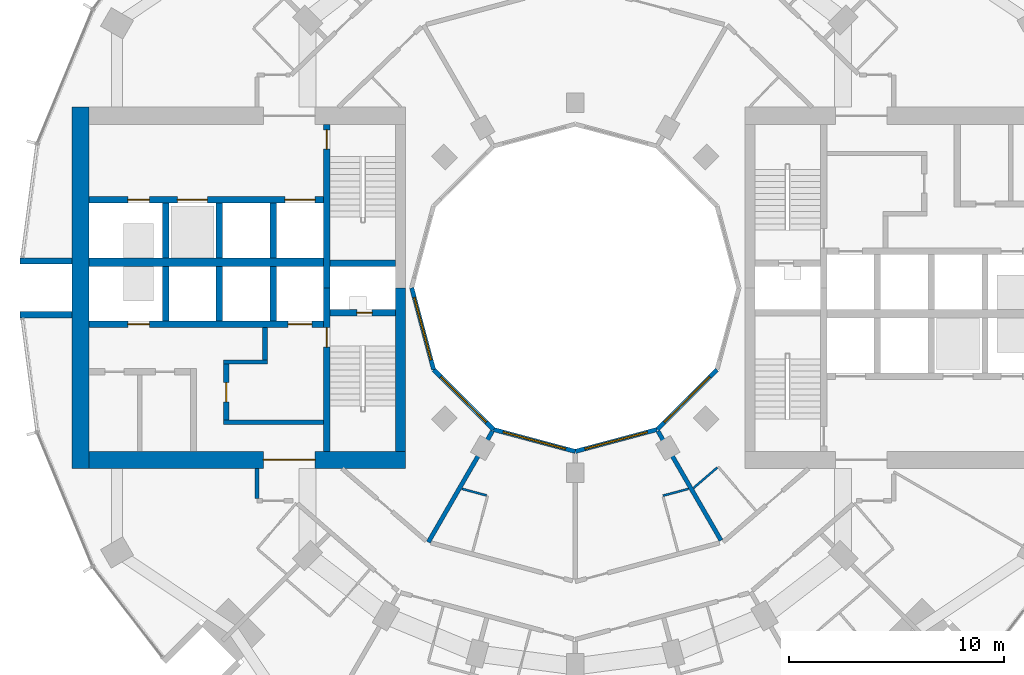
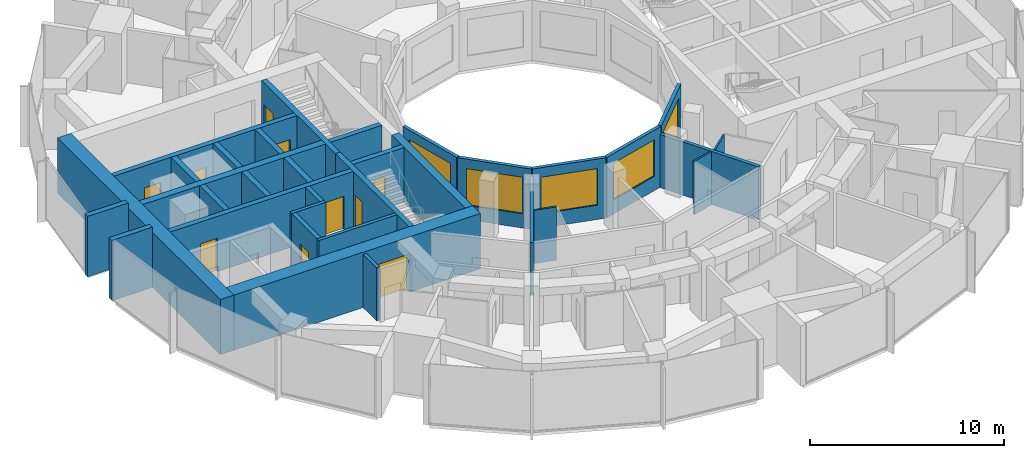
# One storey, part 9 of 15: 33 walls, 10 doors, 5 windows, 15 openings.
"""IFC4 building model written with IfcOpenShell, lengths in metres."""

import ifcopenshell
import ifcopenshell.guid

model = None  # the IFC model being written
_history = None  # IfcOwnerHistory: only IFC2X3 demands one
_inside = {}  # id of a spatial element -> (the spatial element, [elements in it])
_under = {}  # id of a project, library or spatial element -> (it, [spatial elements below it])
_declared = {}  # id of a project -> (the project, [libraries it declares])
_typed = {}  # id of a type object -> (the type object, [elements of that type])
_made_of = {}  # id of a material, layer set ... -> (it, [elements and type objects made of it])


def new_model(schema):
    """Start an empty IFC model of exactly this schema.

    Asked for "IFC4X3", IfcOpenShell would pick the latest addendum, in which some entities
    have other attributes; the version numbers below select the first issue.
    IFC2X3 requires an IfcOwnerHistory on every rooted entity: one is made here for all.
    """
    global model, _history
    if schema == "IFC4X3":
        model = ifcopenshell.file(schema_version=(4, 3, 0, 0))
    else:
        model = ifcopenshell.file(schema=schema)
    _inside.clear()
    _under.clear()
    _declared.clear()
    _typed.clear()
    _made_of.clear()
    _history = None
    if model.schema == "IFC2X3":
        org = make("IfcOrganization", Name="unknown")
        user = make(
            "IfcPersonAndOrganization",
            ThePerson=make("IfcPerson", FamilyName="unknown"),
            TheOrganization=org,
        )
        app = make(
            "IfcApplication",
            ApplicationDeveloper=org,
            Version="unknown",
            ApplicationFullName="unknown",
            ApplicationIdentifier="unknown",
        )
        _history = make(
            "IfcOwnerHistory",
            OwningUser=user,
            OwningApplication=app,
            ChangeAction="ADDED",
            CreationDate=0,
        )
    return model


def make(cls, **values):
    """One entity of the class cls with the attributes given. An attribute that is None is left unset."""
    return model.create_entity(
        cls, **{name: value for name, value in values.items() if value is not None}
    )


def rooted(cls, **values):
    """An entity with a GlobalId (a new one), such as an element, a storey or a relation."""
    return make(cls, GlobalId=ifcopenshell.guid.new(), OwnerHistory=_history, **values)


def si_unit(unit_type, name, prefix=None):
    """IfcSIUnit, for example si_unit("LENGTHUNIT", "METRE", prefix="MILLI")."""
    return make("IfcSIUnit", UnitType=unit_type, Prefix=prefix, Name=name)


def assignment(units):
    """IfcUnitAssignment: the units of a project."""
    return None if units is None else make("IfcUnitAssignment", Units=units)


def point(xyz):
    """IfcCartesianPoint."""
    return None if xyz is None else make("IfcCartesianPoint", Coordinates=xyz)


def direction(xyz):
    """IfcDirection."""
    return None if xyz is None else make("IfcDirection", DirectionRatios=xyz)


def frame(location, z_axis=None, x_axis=None):
    """IfcAxis2Placement3D, a coordinate frame: its origin and axes. An axis left out is left unset."""
    return make(
        "IfcAxis2Placement3D",
        Location=point(location),
        Axis=direction(z_axis),
        RefDirection=direction(x_axis),
    )


def frame_2d(location, x_axis=None):
    """IfcAxis2Placement2D, a coordinate frame in the plane: its origin and x axis."""
    return make(
        "IfcAxis2Placement2D", Location=point(location), RefDirection=direction(x_axis)
    )


def origin():
    """The frame at (0, 0, 0) with its axes left unset."""
    return frame((0.0, 0.0, 0.0))


def place(relative_to, where):
    """IfcLocalPlacement: puts the frame where relative to a parent placement (None: the world)."""
    return make(
        "IfcLocalPlacement", PlacementRelTo=relative_to, RelativePlacement=where
    )


def context(
    kind, dimensions, precision=None, world=None, true_north=None, identifier=None
):
    """IfcGeometricRepresentationContext, for example the 3D "Model" context."""
    return make(
        "IfcGeometricRepresentationContext",
        ContextIdentifier=identifier,
        ContextType=kind,
        CoordinateSpaceDimension=dimensions,
        Precision=precision,
        WorldCoordinateSystem=world,
        TrueNorth=true_north,
    )


def subcontext(parent, identifier, kind, view, scale=None):
    """IfcGeometricRepresentationSubContext, for example "Body" below "Model"."""
    return make(
        "IfcGeometricRepresentationSubContext",
        ContextIdentifier=identifier,
        ContextType=kind,
        ParentContext=parent,
        TargetScale=scale,
        TargetView=view,
    )


def project(units=None, contexts=None):
    """IfcProject with its units and contexts."""
    return rooted(
        "IfcProject",
        Name="project",
        RepresentationContexts=contexts,
        UnitsInContext=assignment(units),
    )


def spatial(cls, under=None, at=None, **own):
    """A site, building, storey or space (cls), placed at a placement, below another one or the project."""
    s = rooted(cls, ObjectPlacement=at, **own)
    if under is not None:
        _under.setdefault(under.id(), (under, []))[1].append(s)
    return s


def profile(cls, at=None, kind="AREA", **sizes):
    """A parametric profile (cls). Its sizes go by their IFC names, for example OverallWidth=200.0."""
    return make(cls, ProfileType=kind, Position=at, **sizes)


def rectangle(**sizes):
    """IfcRectangleProfileDef."""
    return profile("IfcRectangleProfileDef", **sizes)


def extrude(swept, where, along, depth):
    """IfcExtrudedAreaSolid: the profile swept, set in the frame where, extruded along a direction by depth."""
    return make(
        "IfcExtrudedAreaSolid",
        SweptArea=swept,
        Position=where,
        ExtrudedDirection=direction(along),
        Depth=depth,
    )


def shape(context_of_items, identifier, shape_type, items):
    """IfcShapeRepresentation: the items that make up one representation, for example the "Body"."""
    return make(
        "IfcShapeRepresentation",
        ContextOfItems=context_of_items,
        RepresentationIdentifier=identifier,
        RepresentationType=shape_type,
        Items=items,
    )


def material(Name=None, Category=None):
    """IfcMaterial."""
    return make("IfcMaterial", Name=Name, Category=Category)


def layer(
    of_material, thickness, ventilated=None, Name=None, Category=None, Priority=None
):
    """IfcMaterialLayer: one layer of a wall or slab, of a material (None: an air gap)."""
    return make(
        "IfcMaterialLayer",
        Material=of_material,
        LayerThickness=thickness,
        IsVentilated=ventilated,
        Name=Name,
        Category=Category,
        Priority=Priority,
    )


def layer_set(layers, Name=None):
    """IfcMaterialLayerSet."""
    return make("IfcMaterialLayerSet", MaterialLayers=layers, LayerSetName=Name)


def made_of(thing, what):
    """Note that an element or type object is made of a material, layer set ...; save() writes the relation."""
    if what is not None:
        _made_of.setdefault(what.id(), (what, []))[1].append(thing)
    return thing


def type_object(cls, material=None, **own):
    """A type object (cls), such as IfcWallType, which elements share."""
    return made_of(rooted(cls, **own), material)


def element(
    cls,
    number,
    at=None,
    inside=None,
    cuts=None,
    type_object=None,
    material=None,
    context=None,
    identifier="Body",
    shape_type=None,
    held_by="IfcProductDefinitionShape",
    body=None,
    shapes=None,
    **own,
):
    """One element of the class cls, such as IfcWall. Its Tag is "e" and its number.

    at: its placement. inside: the storey or other place that contains it. cuts: it is an
    opening in that element (IfcRelVoidsElement). A single representation is given by context,
    identifier, shape_type and body (its items); several are given by shapes. held_by: the class
    of the entity that holds the representations. save() writes the other relations.
    """
    e = rooted(cls, Tag="e%d" % number, ObjectPlacement=at, **own)
    if body is not None:
        shapes = [shape(context, identifier, shape_type, body)]
    if shapes is not None:
        e.Representation = make(held_by, Representations=shapes)
    if inside is not None:
        _inside.setdefault(inside.id(), (inside, []))[1].append(e)
    if cuts is not None:
        rooted(
            "IfcRelVoidsElement", RelatingBuildingElement=cuts, RelatedOpeningElement=e
        )
    if type_object is not None:
        _typed.setdefault(type_object.id(), (type_object, []))[1].append(e)
    return made_of(e, material)


def fill(opening, filler):
    """IfcRelFillsElement: the door or window that sits in an opening."""
    return rooted(
        "IfcRelFillsElement",
        RelatingOpeningElement=opening,
        RelatedBuildingElement=filler,
    )


def aggregate(whole, parts):
    """IfcRelAggregates: a whole, such as a stair, and the parts it consists of."""
    return rooted("IfcRelAggregates", RelatingObject=whole, RelatedObjects=parts)


def save(model, path):
    """Write the relations noted so far, then the file.

    IfcRelAggregates (storeys below a building ...), IfcRelContainedInSpatialStructure (elements
    in a storey), IfcRelDefinesByType, IfcRelAssociatesMaterial and IfcRelDeclares: one each for
    every whole, place, type object, material and project.
    """
    for whole, parts in _under.values():
        aggregate(whole, parts)
    for where, things in _inside.values():
        rooted(
            "IfcRelContainedInSpatialStructure",
            RelatedElements=things,
            RelatingStructure=where,
        )
    for kind, things in _typed.values():
        rooted("IfcRelDefinesByType", RelatedObjects=things, RelatingType=kind)
    for what, things in _made_of.values():
        rooted("IfcRelAssociatesMaterial", RelatedObjects=things, RelatingMaterial=what)
    for by, libraries in _declared.values():
        rooted("IfcRelDeclares", RelatingContext=by, RelatedDefinitions=libraries)
    model.write(path)


model = new_model("IFC4")

# Units and contexts
model_context = context("Model", 3, precision=1e-05, world=origin(), true_north=direction((0.0, 1.0)))
body_context = subcontext(model_context, "Body", "Model", "MODEL_VIEW")
ifc_project = project(units=[si_unit("LENGTHUNIT", "METRE"), si_unit("AREAUNIT", "SQUARE_METRE"), si_unit("VOLUMEUNIT", "CUBIC_METRE"), si_unit("PLANEANGLEUNIT", "RADIAN"), si_unit("MASSUNIT", "GRAM", prefix="KILO")], contexts=[model_context])

# Site, building, storey
site_placement = place(None, origin())
site = spatial("IfcSite", under=ifc_project, at=site_placement, CompositionType="ELEMENT")
building_placement = place(site_placement, origin())
building = spatial("IfcBuilding", under=site, at=building_placement, Name="Torre Brocal", CompositionType="ELEMENT")
storey_placement = place(building_placement, frame((0.0, 0.0, 44.0)))
storey = spatial("IfcBuildingStorey", under=building, at=storey_placement, Name="L09", CompositionType="ELEMENT", Elevation=44.0)

# Walls
ifc_material_1 = material(Name="Concrete C80", Category="concrete")
ifc_layer_1 = layer(ifc_material_1, 0.199951171875)
ifc_layer_set_1 = layer_set([ifc_layer_1], Name="Concrete C80")
wall_type_1 = type_object("IfcWallType", Name="CORE WALL 200 C80", PredefinedType="SHEAR", material=ifc_layer_set_1)
wall_1_placement = place(storey_placement, frame((68.300048828125, 68.75, 0.0), z_axis=(0.0, 0.0, 1.0), x_axis=(-1.0, 0.0, 0.0)))
element("IfcWall", 1, at=wall_1_placement, inside=storey, type_object=wall_type_1, Name="Wall CW200-80", PredefinedType="SHEAR", context=body_context, shape_type="SweptSolid", body=[
    extrude(rectangle(XDim=4.650146484375, YDim=0.199951171875, at=frame_2d((2.3251953125, 0.0))), origin(), (0.0, 0.0, 1.0), 3.47998046875),
])
wall_2_placement = place(storey_placement, frame((65.699951171875, 71.550048828125, 0.0), z_axis=(0.0, 0.0, 1.0), x_axis=(-1.0, 0.0, 0.0)))
element("IfcWall", 2, at=wall_2_placement, inside=storey, type_object=wall_type_1, Name="Wall CW200-80", PredefinedType="SHEAR", context=body_context, shape_type="SweptSolid", body=[
    extrude(rectangle(XDim=2.050048828125, YDim=0.199951171875, at=frame_2d((1.02490234375, 0.0))), origin(), (0.0, 0.0, 1.0), 3.47998046875),
])

# Wall, opening, door
ifc_material_2 = material(Name="Concrete C80", Category="concrete")
ifc_layer_2 = layer(ifc_material_2, 0.25)
ifc_layer_set_2 = layer_set([ifc_layer_2], Name="Concrete C80")
wall_type_2 = type_object("IfcWallType", Name="CORE WALL 250 C80", PredefinedType="SHEAR", material=ifc_layer_set_2)
wall_3_placement = place(storey_placement, frame((63.77490234375, 71.449951171875, 0.0), z_axis=(0.0, 0.0, 1.0), x_axis=(0.0, -1.0, 0.0)))
wall_3 = element("IfcWall", 3, at=wall_3_placement, inside=storey, type_object=wall_type_2, Name="Wall CW250-80", PredefinedType="SHEAR", context=body_context, shape_type="SweptSolid", body=[
    extrude(rectangle(XDim=2.599853515625, YDim=0.25, at=frame_2d((1.2998046875, 0.0))), origin(), (0.0, 0.0, 1.0), 3.47998046875),
])
opening_1_placement = place(wall_3_placement, frame((0.85009765625, 0.0, 0.0)))
opening_1 = element("IfcOpeningElement", 4, at=opening_1_placement, cuts=wall_3, Name="Opening W-D15", PredefinedType="OPENING", context=body_context, shape_type="SweptSolid", body=[
    extrude(rectangle(XDim=0.89990234375, YDim=2.10009765625, at=frame_2d((0.449951171875, 1.050048828125))), frame((0.0, 0.135009765625, 0.0), z_axis=(0.0, -1.0, 0.0), x_axis=(1.0, 0.0, 0.0)), (0.0, 0.0, 1.0), 0.27001953125),
])
ifc_material_3 = material(Name="Steel A653", Category="steel")
door_type_1 = type_object("IfcDoorType", Name="LOBBY DOOR FD120 900X2100", OperationType="SINGLE_SWING_RIGHT", PredefinedType="DOOR", material=ifc_material_3)
door_1_placement = place(opening_1_placement, origin())
door_1 = element("IfcDoor", 5, at=door_1_placement, inside=storey, type_object=door_type_1, Name="Door W-D15", OperationType="SINGLE_SWING_LEFT", OverallHeight=2.10009765625, OverallWidth=0.89990234375, PredefinedType="DOOR", context=body_context, shape_type="SweptSolid", body=[
    extrude(rectangle(XDim=0.89990234375, YDim=2.10009765625, at=frame_2d((0.449951171875, 1.050048828125))), frame((0.0, 0.02490234375, 0.0), z_axis=(0.0, -1.0, 0.0), x_axis=(1.0, 0.0, 0.0)), (0.0, 0.0, 1.0), 0.050048828125),
])
fill(opening_1, door_1)

# Wall
wall_4_placement = place(storey_placement, frame((65.574951171875, 73.14990234375, 0.0), z_axis=(0.0, 0.0, 1.0), x_axis=(0.0, -1.0, 0.0)))
element("IfcWall", 6, at=wall_4_placement, inside=storey, type_object=wall_type_2, Name="Wall CW250-80", PredefinedType="SHEAR", context=body_context, shape_type="SweptSolid", body=[
    extrude(rectangle(XDim=1.5, YDim=0.25, at=frame_2d((0.75, 0.0))), origin(), (0.0, 0.0, 1.0), 3.47998046875),
])

# Wall, opening, door
ifc_material_4 = material(Name="Concrete C80", Category="concrete")
ifc_layer_3 = layer(ifc_material_4, 0.300048828125)
ifc_layer_set_3 = layer_set([ifc_layer_3], Name="Concrete C80")
wall_type_3 = type_object("IfcWallType", Name="CORE WALL 300 C80", PredefinedType="SHEAR", material=ifc_layer_set_3)
wall_5_placement = place(storey_placement, frame((68.449951171875, 75.0, 0.0), z_axis=(0.0, 0.0, 1.0), x_axis=(0.0, -1.0, 0.0)))
wall_5 = element("IfcWall", 7, at=wall_5_placement, inside=storey, type_object=wall_type_3, Name="Wall CW300-80", PredefinedType="SHEAR", context=body_context, shape_type="SweptSolid", body=[
    extrude(rectangle(XDim=7.60009765625, YDim=0.300048828125, at=frame_2d((3.800048828125, 0.0))), origin(), (0.0, 0.0, 1.0), 3.47998046875),
])
opening_2_placement = place(wall_5_placement, frame((1.85009765625, 0.0, 0.0)))
opening_2 = element("IfcOpeningElement", 8, at=opening_2_placement, cuts=wall_5, Name="Opening W-D02", PredefinedType="OPENING", context=body_context, shape_type="SweptSolid", body=[
    extrude(rectangle(XDim=0.89990234375, YDim=2.10009765625, at=frame_2d((0.449951171875, 1.050048828125))), frame((0.0, 0.159912109375, 0.0), z_axis=(0.0, -1.0, 0.0), x_axis=(1.0, 0.0, 0.0)), (0.0, 0.0, 1.0), 0.320068359375),
])
ifc_material_5 = material(Name="Steel A653", Category="steel")
door_type_2 = type_object("IfcDoorType", Name="STAIR DOOR FD120 900X2100", OperationType="SINGLE_SWING_RIGHT", PredefinedType="DOOR", material=ifc_material_5)
door_2_placement = place(opening_2_placement, origin())
door_2 = element("IfcDoor", 9, at=door_2_placement, inside=storey, type_object=door_type_2, Name="Door W-D02", OperationType="SINGLE_SWING_LEFT", OverallHeight=2.10009765625, OverallWidth=0.89990234375, PredefinedType="DOOR", context=body_context, shape_type="SweptSolid", body=[
    extrude(rectangle(XDim=0.89990234375, YDim=2.10009765625, at=frame_2d((0.449951171875, 1.050048828125))), frame((0.0, 0.02490234375, 0.0), z_axis=(0.0, -1.0, 0.0), x_axis=(1.0, 0.0, 0.0)), (0.0, 0.0, 1.0), 0.050048828125),
])
fill(opening_2, door_2)

wall_6_placement = place(storey_placement, frame((68.449951171875, 82.60009765625, 0.0), z_axis=(0.0, 0.0, 1.0), x_axis=(0.0, -1.0, 0.0)))
wall_6 = element("IfcWall", 10, at=wall_6_placement, inside=storey, type_object=wall_type_3, Name="Wall CW300-80", PredefinedType="SHEAR", context=body_context, shape_type="SweptSolid", body=[
    extrude(rectangle(XDim=7.60009765625, YDim=0.300048828125, at=frame_2d((3.800048828125, 0.0))), origin(), (0.0, 0.0, 1.0), 3.47998046875),
])
opening_3_placement = place(wall_6_placement, frame((0.25, 0.0, 0.0)))
opening_3 = element("IfcOpeningElement", 11, at=opening_3_placement, cuts=wall_6, Name="Opening W-D03", PredefinedType="OPENING", context=body_context, shape_type="SweptSolid", body=[
    extrude(rectangle(XDim=0.89990234375, YDim=2.10009765625, at=frame_2d((0.449951171875, 1.050048828125))), frame((0.0, 0.159912109375, 0.0), z_axis=(0.0, -1.0, 0.0), x_axis=(1.0, 0.0, 0.0)), (0.0, 0.0, 1.0), 0.320068359375),
])
door_3_placement = place(opening_3_placement, origin())
door_3 = element("IfcDoor", 12, at=door_3_placement, inside=storey, type_object=door_type_2, Name="Door W-D03", OperationType="SINGLE_SWING_LEFT", OverallHeight=2.10009765625, OverallWidth=0.89990234375, PredefinedType="DOOR", context=body_context, shape_type="SweptSolid", body=[
    extrude(rectangle(XDim=0.89990234375, YDim=2.10009765625, at=frame_2d((0.449951171875, 1.050048828125))), frame((0.0, 0.02490234375, 0.0), z_axis=(0.0, -1.0, 0.0), x_axis=(1.0, 0.0, 0.0)), (0.0, 0.0, 1.0), 0.050048828125),
])
fill(opening_3, door_3)

wall_7_placement = place(storey_placement, frame((71.64990234375, 73.85009765625, 0.0), z_axis=(0.0, 0.0, 1.0), x_axis=(-1.0, 0.0, 0.0)))
wall_7 = element("IfcWall", 13, at=wall_7_placement, inside=storey, type_object=wall_type_3, Name="Wall CW300-80", PredefinedType="SHEAR", context=body_context, shape_type="SweptSolid", body=[
    extrude(rectangle(XDim=3.0498046875, YDim=0.300048828125, at=frame_2d((1.52490234375, 0.0))), origin(), (0.0, 0.0, 1.0), 3.47998046875),
])
opening_4_placement = place(wall_7_placement, frame((1.10009765625, 0.0, 0.0)))
opening_4 = element("IfcOpeningElement", 14, at=opening_4_placement, cuts=wall_7, Name="Opening W-D01", PredefinedType="OPENING", context=body_context, shape_type="SweptSolid", body=[
    extrude(rectangle(XDim=0.699951171875, YDim=2.0, at=frame_2d((0.35009765625, 1.0))), frame((0.0, 0.159912109375, 0.0), z_axis=(0.0, -1.0, 0.0), x_axis=(1.0, 0.0, 0.0)), (0.0, 0.0, 1.0), 0.320068359375),
])
ifc_material_6 = material(Name="Steel A653", Category="steel")
door_type_3 = type_object("IfcDoorType", Name="RISER DOOR FD120 700X2000", OperationType="SINGLE_SWING_LEFT", PredefinedType="DOOR", material=ifc_material_6)
door_4_placement = place(opening_4_placement, frame((0.699951171875, 0.0, 0.0), z_axis=(0.0, 0.0, 1.0), x_axis=(-1.0, 0.0, 0.0)))
door_4 = element("IfcDoor", 15, at=door_4_placement, inside=storey, type_object=door_type_3, Name="Door W-D01", OperationType="SINGLE_SWING_RIGHT", OverallHeight=2.0, OverallWidth=0.699951171875, PredefinedType="DOOR", context=body_context, shape_type="SweptSolid", body=[
    extrude(rectangle(XDim=0.699951171875, YDim=2.0, at=frame_2d((0.35009765625, 1.0))), frame((0.0, 0.02490234375, 0.0), z_axis=(0.0, -1.0, 0.0), x_axis=(1.0, 0.0, 0.0)), (0.0, 0.0, 1.0), 0.050048828125),
])
fill(opening_4, door_4)

# Wall
wall_8_placement = place(storey_placement, frame((71.64990234375, 76.14990234375, 0.0), z_axis=(0.0, 0.0, 1.0), x_axis=(-1.0, 0.0, 0.0)))
element("IfcWall", 16, at=wall_8_placement, inside=storey, type_object=wall_type_3, Name="Wall CW300-80", PredefinedType="SHEAR", context=body_context, shape_type="SweptSolid", body=[
    extrude(rectangle(XDim=3.0498046875, YDim=0.300048828125, at=frame_2d((1.52490234375, 0.0))), origin(), (0.0, 0.0, 1.0), 3.47998046875),
])

# Wall, openings, doors
wall_9_placement = place(storey_placement, frame((68.300048828125, 73.300048828125, 0.0), z_axis=(0.0, 0.0, 1.0), x_axis=(-1.0, 0.0, 0.0)))
wall_9 = element("IfcWall", 17, at=wall_9_placement, inside=storey, type_object=wall_type_3, Name="Wall CW300-80", PredefinedType="SHEAR", context=body_context, shape_type="SweptSolid", body=[
    extrude(rectangle(XDim=10.900146484375, YDim=0.300048828125, at=frame_2d((5.4501953125, 0.0))), origin(), (0.0, 0.0, 1.0), 3.47998046875),
])
opening_5_placement = place(wall_9_placement, frame((0.550048828125, 0.0, 0.0)))
opening_5 = element("IfcOpeningElement", 18, at=opening_5_placement, cuts=wall_9, Name="Opening LD", PredefinedType="OPENING", context=body_context, shape_type="SweptSolid", body=[
    extrude(rectangle(XDim=1.10009765625, YDim=2.10009765625, at=frame_2d((0.550048828125, 1.050048828125))), frame((0.0, 0.159912109375, 0.0), z_axis=(0.0, -1.0, 0.0), x_axis=(1.0, 0.0, 0.0)), (0.0, 0.0, 1.0), 0.320068359375),
])
opening_6_placement = place(wall_9_placement, frame((8.10009765625, 0.0, 0.0)))
opening_6 = element("IfcOpeningElement", 19, at=opening_6_placement, cuts=wall_9, Name="Opening LD10", PredefinedType="OPENING", context=body_context, shape_type="SweptSolid", body=[
    extrude(rectangle(XDim=1.0, YDim=2.10009765625, at=frame_2d((0.5, 1.050048828125))), frame((0.0, 0.159912109375, 0.0), z_axis=(0.0, -1.0, 0.0), x_axis=(1.0, 0.0, 0.0)), (0.0, 0.0, 1.0), 0.320068359375),
])
ifc_material_7 = material(Name="Stainless steel AISI 316", Category="steel")
door_type_4 = type_object("IfcDoorType", Name="LIFT LANDING DOOR 1000X2100", OperationType="DOUBLE_DOOR_SLIDING", PredefinedType="DOOR", material=ifc_material_7)
door_5_placement = place(opening_6_placement, origin())
door_5 = element("IfcDoor", 20, at=door_5_placement, inside=storey, type_object=door_type_4, Name="Door LD10", OperationType="DOUBLE_DOOR_SLIDING", OverallHeight=2.10009765625, OverallWidth=1.0, PredefinedType="DOOR", context=body_context, shape_type="SweptSolid", body=[
    extrude(rectangle(XDim=1.0, YDim=2.10009765625, at=frame_2d((0.5, 1.050048828125))), frame((0.0, 0.02490234375, 0.0), z_axis=(0.0, -1.0, 0.0), x_axis=(1.0, 0.0, 0.0)), (0.0, 0.0, 1.0), 0.050048828125),
])
fill(opening_6, door_5)
ifc_material_8 = material(Name="Stainless steel AISI 316", Category="steel")
door_type_5 = type_object("IfcDoorType", Name="LIFT LANDING DOOR 1100X2100", OperationType="DOUBLE_DOOR_SLIDING", PredefinedType="DOOR", material=ifc_material_8)
door_6_placement = place(opening_5_placement, origin())
door_6 = element("IfcDoor", 21, at=door_6_placement, inside=storey, type_object=door_type_5, Name="Door LD", OperationType="DOUBLE_DOOR_SLIDING", OverallHeight=2.10009765625, OverallWidth=1.10009765625, PredefinedType="DOOR", context=body_context, shape_type="SweptSolid", body=[
    extrude(rectangle(XDim=1.10009765625, YDim=2.10009765625, at=frame_2d((0.550048828125, 1.050048828125))), frame((0.0, 0.02490234375, 0.0), z_axis=(0.0, -1.0, 0.0), x_axis=(1.0, 0.0, 0.0)), (0.0, 0.0, 1.0), 0.050048828125),
])
fill(opening_5, door_6)

wall_10_placement = place(storey_placement, frame((68.300048828125, 79.10009765625, 0.0), z_axis=(0.0, 0.0, 1.0), x_axis=(-1.0, 0.0, 0.0)))
wall_10 = element("IfcWall", 22, at=wall_10_placement, inside=storey, type_object=wall_type_3, Name="Wall CW300-80", PredefinedType="SHEAR", context=body_context, shape_type="SweptSolid", body=[
    extrude(rectangle(XDim=10.900146484375, YDim=0.300048828125, at=frame_2d((5.4501953125, 0.0))), origin(), (0.0, 0.0, 1.0), 3.47998046875),
])
opening_7_placement = place(wall_10_placement, frame((0.39990234375, 0.0, 0.0)))
opening_7 = element("IfcOpeningElement", 23, at=opening_7_placement, cuts=wall_10, Name="Opening LD14", PredefinedType="OPENING", context=body_context, shape_type="SweptSolid", body=[
    extrude(rectangle(XDim=1.39990234375, YDim=2.10009765625, at=frame_2d((0.699951171875, 1.050048828125))), frame((0.0, 0.159912109375, 0.0), z_axis=(0.0, -1.0, 0.0), x_axis=(1.0, 0.0, 0.0)), (0.0, 0.0, 1.0), 0.320068359375),
])
opening_8_placement = place(wall_10_placement, frame((5.39990234375, 0.0, 0.0)))
opening_8 = element("IfcOpeningElement", 24, at=opening_8_placement, cuts=wall_10, Name="Opening LD14", PredefinedType="OPENING", context=body_context, shape_type="SweptSolid", body=[
    extrude(rectangle(XDim=1.39990234375, YDim=2.10009765625, at=frame_2d((0.699951171875, 1.050048828125))), frame((0.0, 0.159912109375, 0.0), z_axis=(0.0, -1.0, 0.0), x_axis=(1.0, 0.0, 0.0)), (0.0, 0.0, 1.0), 0.320068359375),
])
opening_9_placement = place(wall_10_placement, frame((8.10009765625, 0.0, 0.0)))
opening_9 = element("IfcOpeningElement", 25, at=opening_9_placement, cuts=wall_10, Name="Opening LD10", PredefinedType="OPENING", context=body_context, shape_type="SweptSolid", body=[
    extrude(rectangle(XDim=1.0, YDim=2.10009765625, at=frame_2d((0.5, 1.050048828125))), frame((0.0, 0.159912109375, 0.0), z_axis=(0.0, -1.0, 0.0), x_axis=(1.0, 0.0, 0.0)), (0.0, 0.0, 1.0), 0.320068359375),
])
door_7_placement = place(opening_9_placement, origin())
door_7 = element("IfcDoor", 26, at=door_7_placement, inside=storey, type_object=door_type_4, Name="Door LD10", OperationType="DOUBLE_DOOR_SLIDING", OverallHeight=2.10009765625, OverallWidth=1.0, PredefinedType="DOOR", context=body_context, shape_type="SweptSolid", body=[
    extrude(rectangle(XDim=1.0, YDim=2.10009765625, at=frame_2d((0.5, 1.050048828125))), frame((0.0, 0.02490234375, 0.0), z_axis=(0.0, -1.0, 0.0), x_axis=(1.0, 0.0, 0.0)), (0.0, 0.0, 1.0), 0.050048828125),
])
fill(opening_9, door_7)
ifc_material_9 = material(Name="Stainless steel AISI 316", Category="steel")
door_type_6 = type_object("IfcDoorType", Name="LIFT LANDING DOOR 1400X2100", OperationType="DOUBLE_DOOR_SLIDING", PredefinedType="DOOR", material=ifc_material_9)
door_8_placement = place(opening_7_placement, origin())
door_8 = element("IfcDoor", 27, at=door_8_placement, inside=storey, type_object=door_type_6, Name="Door LD14", OperationType="DOUBLE_DOOR_SLIDING", OverallHeight=2.10009765625, OverallWidth=1.39990234375, PredefinedType="DOOR", context=body_context, shape_type="SweptSolid", body=[
    extrude(rectangle(XDim=1.39990234375, YDim=2.10009765625, at=frame_2d((0.699951171875, 1.050048828125))), frame((0.0, 0.02490234375, 0.0), z_axis=(0.0, -1.0, 0.0), x_axis=(1.0, 0.0, 0.0)), (0.0, 0.0, 1.0), 0.050048828125),
])
fill(opening_7, door_8)
door_9_placement = place(opening_8_placement, origin())
door_9 = element("IfcDoor", 28, at=door_9_placement, inside=storey, type_object=door_type_6, Name="Door LD14", OperationType="DOUBLE_DOOR_SLIDING", OverallHeight=2.10009765625, OverallWidth=1.39990234375, PredefinedType="DOOR", context=body_context, shape_type="SweptSolid", body=[
    extrude(rectangle(XDim=1.39990234375, YDim=2.10009765625, at=frame_2d((0.699951171875, 1.050048828125))), frame((0.0, 0.02490234375, 0.0), z_axis=(0.0, -1.0, 0.0), x_axis=(1.0, 0.0, 0.0)), (0.0, 0.0, 1.0), 0.050048828125),
])
fill(opening_8, door_9)

# Walls
for number, where, z_axis, x_axis, name in (
    (29, (65.949951171875, 76.0, 0.0), (0.0, 0.0, 1.0), (0.0, -1.0, 0.0), "Wall CW300-80"),
    (30, (63.449951171875, 76.0, 0.0), (0.0, 0.0, 1.0), (0.0, -1.0, 0.0), "Wall CW300-80"),
    (31, (60.949951171875, 76.0, 0.0), (0.0, 0.0, 1.0), (0.0, -1.0, 0.0), "Wall CW300-80"),
    (32, (65.949951171875, 78.949951171875, 0.0), (0.0, 0.0, 1.0), (0.0, -1.0, 0.0), "Wall CW300-80"),
    (33, (63.449951171875, 78.949951171875, 0.0), (0.0, 0.0, 1.0), (0.0, -1.0, 0.0), "Wall CW300-80"),
    (34, (60.949951171875, 78.949951171875, 0.0), (0.0, 0.0, 1.0), (0.0, -1.0, 0.0), "Wall CW300-80"),
):
    element("IfcWall", number, at=place(storey_placement, frame(where, z_axis=z_axis, x_axis=x_axis)), inside=storey, type_object=wall_type_3, Name=name, PredefinedType="SHEAR", context=body_context, shape_type="SweptSolid", body=[
        extrude(rectangle(XDim=2.550048828125, YDim=0.300048828125, at=frame_2d((1.27490234375, 0.0))), origin(), (0.0, 0.0, 1.0), 3.47998046875),
    ])
ifc_material_10 = material(Name="Concrete C80", Category="concrete")
ifc_layer_4 = layer(ifc_material_10, 0.39990234375)
ifc_layer_set_4 = layer_set([ifc_layer_4], Name="Concrete C80")
wall_type_4 = type_object("IfcWallType", Name="CORE WALL 400 C80", PredefinedType="SHEAR", material=ifc_layer_set_4)
wall_11_placement = place(storey_placement, frame((68.300048828125, 76.199951171875, 0.0), z_axis=(0.0, 0.0, 1.0), x_axis=(-1.0, 0.0, 0.0)))
element("IfcWall", 35, at=wall_11_placement, inside=storey, type_object=wall_type_4, Name="Wall CW400-80", PredefinedType="SHEAR", context=body_context, shape_type="SweptSolid", body=[
    extrude(rectangle(XDim=10.900146484375, YDim=0.39990234375, at=frame_2d((5.4501953125, 0.0))), origin(), (0.0, 0.0, 1.0), 3.47998046875),
])
ifc_material_11 = material(Name="Concrete C80", Category="concrete")
ifc_layer_5 = layer(ifc_material_11, 0.449951171875)
ifc_layer_set_5 = layer_set([ifc_layer_5], Name="Concrete C80")
wall_type_5 = type_object("IfcWallType", Name="CORE WALL 450 C80", PredefinedType="SHEAR", material=ifc_layer_set_5)
wall_12_placement = place(storey_placement, frame((71.875, 75.0, 0.0), z_axis=(0.0, 0.0, 1.0), x_axis=(0.0, -1.0, 0.0)))
element("IfcWall", 36, at=wall_12_placement, inside=storey, type_object=wall_type_5, Name="Wall CW450-80", PredefinedType="SHEAR", context=body_context, shape_type="SweptSolid", body=[
    extrude(rectangle(XDim=7.60009765625, YDim=0.449951171875, at=frame_2d((3.800048828125, 0.0))), origin(), (0.0, 0.0, 1.0), 3.47998046875),
])

# Wall, opening, door
ifc_material_12 = material(Name="Concrete C80", Category="concrete")
ifc_layer_6 = layer(ifc_material_12, 0.800048828125)
ifc_layer_set_6 = layer_set([ifc_layer_6], Name="Concrete C80")
wall_type_6 = type_object("IfcWallType", Name="CORE WALL 800 C80", PredefinedType="SHEAR", material=ifc_layer_set_6)
wall_13_placement = place(storey_placement, frame((72.10009765625, 67.0, 0.0), z_axis=(0.0, 0.0, 1.0), x_axis=(-1.0, 0.0, 0.0)))
wall_13 = element("IfcWall", 37, at=wall_13_placement, inside=storey, type_object=wall_type_6, Name="Wall CW800-80", PredefinedType="SHEAR", context=body_context, shape_type="SweptSolid", body=[
    extrude(rectangle(XDim=14.7001953125, YDim=0.800048828125, at=frame_2d((7.35009765625, 0.0))), origin(), (0.0, 0.0, 1.0), 3.47998046875),
])
opening_10_placement = place(wall_13_placement, frame((4.199951171875, 0.0, 0.0)))
opening_10 = element("IfcOpeningElement", 38, at=opening_10_placement, cuts=wall_13, Name="Opening W-D24", PredefinedType="OPENING", context=body_context, shape_type="SweptSolid", body=[
    extrude(rectangle(XDim=2.39990234375, YDim=2.39990234375, at=frame_2d((1.199951171875, 1.199951171875))), frame((0.0, 0.409912109375, 0.0), z_axis=(0.0, -1.0, 0.0), x_axis=(1.0, 0.0, 0.0)), (0.0, 0.0, 1.0), 0.820068359375),
])
ifc_material_13 = material(Name="Steel A653", Category="steel")
door_type_7 = type_object("IfcDoorType", Name="DOUBLE FIRE DOOR FD90 2400X2400", OperationType="DOUBLE_DOOR_SINGLE_SWING", PredefinedType="DOOR", material=ifc_material_13)
door_10_placement = place(opening_10_placement, frame((2.39990234375, 0.0, 0.0), z_axis=(0.0, 0.0, 1.0), x_axis=(-1.0, 0.0, 0.0)))
door_10 = element("IfcDoor", 39, at=door_10_placement, inside=storey, type_object=door_type_7, Name="Door W-D24", OperationType="DOUBLE_DOOR_SINGLE_SWING", OverallHeight=2.39990234375, OverallWidth=2.39990234375, PredefinedType="DOOR", context=body_context, shape_type="SweptSolid", body=[
    extrude(rectangle(XDim=2.39990234375, YDim=2.39990234375, at=frame_2d((1.199951171875, 1.199951171875))), frame((0.0, 0.02490234375, 0.0), z_axis=(0.0, -1.0, 0.0), x_axis=(1.0, 0.0, 0.0)), (0.0, 0.0, 1.0), 0.050048828125),
])
fill(opening_10, door_10)

# Walls
wall_14_placement = place(storey_placement, frame((57.0, 83.39990234375, 0.0), z_axis=(0.0, 0.0, 1.0), x_axis=(0.0, -1.0, 0.0)))
element("IfcWall", 40, at=wall_14_placement, inside=storey, type_object=wall_type_6, Name="Wall CW800-80", PredefinedType="SHEAR", context=body_context, shape_type="SweptSolid", body=[
    extrude(rectangle(XDim=16.7998046875, YDim=0.800048828125, at=frame_2d((8.39990234375, 0.0))), origin(), (0.0, 0.0, 1.0), 3.47998046875),
])
ifc_material_14 = material(Name="Concrete C80", Category="concrete")
ifc_layer_7 = layer(ifc_material_14, 0.300048828125)
ifc_layer_set_7 = layer_set([ifc_layer_7], Name="Concrete C80")
wall_type_7 = type_object("IfcWallType", Name="NOTCH RETURN WALL 300 C80", PredefinedType="NOTDEFINED", material=ifc_layer_set_7)
for number, where, z_axis, x_axis, name in (
    (41, (56.60009765625, 76.25, 0.0), (0.0, 0.0, 1.0), (-1.0, 0.0, 0.0), "NOTCH RETURN WALL"),
    (42, (56.60009765625, 73.75, 0.0), (0.0, 0.0, 1.0), (-1.0, 0.0, 0.0), "NOTCH RETURN WALL"),
):
    element("IfcWall", number, at=place(storey_placement, frame(where, z_axis=z_axis, x_axis=x_axis)), inside=storey, type_object=wall_type_7, Name=name, PredefinedType="NOTDEFINED", context=body_context, shape_type="SweptSolid", body=[
        extrude(rectangle(XDim=2.415771484375, YDim=0.300048828125, at=frame_2d((1.2080078125, 0.0))), origin(), (0.0, 0.0, 1.0), 3.800048828125),
    ])
ifc_material_15 = material(Name="Gypsum board", Category="Gypsum")
ifc_layer_8 = layer(ifc_material_15, 0.10009765625)
ifc_layer_set_8 = layer_set([ifc_layer_8], Name="Gypsum board")
wall_type_8 = type_object("IfcWallType", Name="PARTITION 100", PredefinedType="PARTITIONING", material=ifc_layer_set_8)
wall_15_placement = place(storey_placement, frame((74.729248046875, 65.657470703125, 0.0), z_axis=(0.0, 0.0, 1.0), x_axis=(0.965948051503, -0.258736085224, 0.0)))
element("IfcWall", 43, at=wall_15_placement, inside=storey, type_object=wall_type_8, Name="BATHROOM WALL", PredefinedType="PARTITIONING", context=body_context, shape_type="SweptSolid", body=[
    extrude(rectangle(XDim=1.18896484375, YDim=0.10009765625, at=frame_2d((0.594482421875, 0.0))), origin(), (0.0, 0.0, 1.0), 3.35009765625),
])
wall_16_placement = place(storey_placement, frame((84.073974609375, 65.3369140625, 0.0), z_axis=(0.0, 0.0, 1.0), x_axis=(0.965914351064, 0.258861867428, 0.0)))
element("IfcWall", 44, at=wall_16_placement, inside=storey, type_object=wall_type_8, Name="BATHROOM WALL", PredefinedType="PARTITIONING", context=body_context, shape_type="SweptSolid", body=[
    extrude(rectangle(XDim=1.22900390625, YDim=0.10009765625, at=frame_2d((0.614501953125, 0.0))), origin(), (0.0, 0.0, 1.0), 3.35009765625),
])
wall_17_placement = place(storey_placement, frame((85.497314453125, 65.69580078125, 0.0), z_axis=(0.0, 0.0, 1.0), x_axis=(0.75817032582, 0.652056559698, 0.0)))
element("IfcWall", 45, at=wall_17_placement, inside=storey, type_object=wall_type_8, Name="BATHROOM WALL", PredefinedType="PARTITIONING", context=body_context, shape_type="SweptSolid", body=[
    extrude(rectangle(XDim=1.4609375, YDim=0.10009765625, at=frame_2d((0.73046875, 0.0))), origin(), (0.0, 0.0, 1.0), 3.35009765625),
])
ifc_material_16 = material(Name="Gypsum board", Category="Gypsum")
ifc_layer_9 = layer(ifc_material_16, 0.199951171875)
ifc_layer_set_9 = layer_set([ifc_layer_9], Name="Gypsum board")
wall_type_9 = type_object("IfcWallType", Name="PARTITION 200 EI60", PredefinedType="PARTITIONING", material=ifc_layer_set_9)
wall_18_placement = place(storey_placement, frame((65.199951171875, 65.199951171875, 0.0), z_axis=(0.0, 0.0, 1.0), x_axis=(0.0, 1.0, 0.0)))
element("IfcWall", 46, at=wall_18_placement, inside=storey, type_object=wall_type_9, Name="GUESTROOM CORRIDOR WALL", PredefinedType="PARTITIONING", context=body_context, shape_type="SweptSolid", body=[
    extrude(rectangle(XDim=1.399169921875, YDim=0.199951171875, at=frame_2d((0.69970703125, 0.0))), origin(), (0.0, 0.0, 1.0), 3.35009765625),
])
wall_19_placement = place(storey_placement, frame((73.169189453125, 63.17822265625, 0.0), z_axis=(0.0, 0.0, 1.0), x_axis=(0.50020860964, 0.865904929448, 0.0)))
element("IfcWall", 47, at=wall_19_placement, inside=storey, type_object=wall_type_9, Name="BATHROOM WALL", PredefinedType="PARTITIONING", context=body_context, shape_type="SweptSolid", body=[
    extrude(rectangle(XDim=5.955078125, YDim=0.199951171875, at=frame_2d((2.9775390625, 0.0))), origin(), (0.0, 0.0, 1.0), 3.35009765625),
])
wall_20_placement = place(storey_placement, frame((83.847900390625, 68.332275390625, 0.0), z_axis=(0.0, 0.0, 1.0), x_axis=(0.499919778085, -0.866071714975, 0.0)))
element("IfcWall", 48, at=wall_20_placement, inside=storey, type_object=wall_type_9, Name="BATHROOM WALL", PredefinedType="PARTITIONING", context=body_context, shape_type="SweptSolid", body=[
    extrude(rectangle(XDim=5.85498046875, YDim=0.199951171875, at=frame_2d((2.927490234375, 0.0))), origin(), (0.0, 0.0, 1.0), 3.35009765625),
])

# Wall, opening, window
ifc_material_17 = material(Name="Concrete C40", Category="concrete")
ifc_layer_10 = layer(ifc_material_17, 0.199951171875)
ifc_layer_set_10 = layer_set([ifc_layer_10], Name="Concrete C40")
wall_type_10 = type_object("IfcWallType", Name="WELL FACADE WALL 200", PredefinedType="NOTDEFINED", material=ifc_layer_set_10)
wall_21_placement = place(storey_placement, frame((72.396484375, 75.0, 0.0), z_axis=(0.0, 0.0, 1.0), x_axis=(0.258789828301, -0.965933654434, 0.0)))
wall_21 = element("IfcWall", 49, at=wall_21_placement, inside=storey, type_object=wall_type_10, Name="WELL FACADE WALL", PredefinedType="NOTDEFINED", context=body_context, shape_type="SweptSolid", body=[
    extrude(rectangle(XDim=3.935791015625, YDim=0.199951171875, at=frame_2d((1.9677734375, 0.0))), origin(), (0.0, 0.0, 1.0), 3.800048828125),
])
opening_11_placement = place(wall_21_placement, frame((0.468017578125, 0.0, 0.89990234375)))
opening_11 = element("IfcOpeningElement", 50, at=opening_11_placement, cuts=wall_21, Name="Opening W1", PredefinedType="OPENING", context=body_context, shape_type="SweptSolid", body=[
    extrude(rectangle(XDim=3.0, YDim=2.300048828125, at=frame_2d((1.5, 1.14990234375))), frame((0.0, 0.10986328125, 0.0), z_axis=(0.0, -1.0, 0.0), x_axis=(1.0, 0.0, 0.0)), (0.0, 0.0, 1.0), 0.219970703125),
])
ifc_material_18 = material(Name="Aluminium and glass", Category="aluminium")
window_type = type_object("IfcWindowType", Name="WELL WINDOW 3000X2300", PartitioningType="SINGLE_PANEL", PredefinedType="WINDOW", material=ifc_material_18)
window_1_placement = place(opening_11_placement, origin())
window_1 = element("IfcWindow", 51, at=window_1_placement, inside=storey, type_object=window_type, Name="WELL WINDOW 3000X2300", OverallHeight=2.300048828125, OverallWidth=3.0, PartitioningType="SINGLE_PANEL", PredefinedType="WINDOW", context=body_context, shape_type="SweptSolid", body=[
    extrude(rectangle(XDim=3.0, YDim=2.300048828125, at=frame_2d((1.5, 1.14990234375))), frame((0.0, 0.030029296875, 0.0), z_axis=(0.0, -1.0, 0.0), x_axis=(1.0, 0.0, 0.0)), (0.0, 0.0, 1.0), 0.06005859375),
])
fill(opening_11, window_1)

wall_22_placement = place(storey_placement, frame((73.4150390625, 71.1982421875, 0.0), z_axis=(0.0, 0.0, 1.0), x_axis=(0.707106781187, -0.707106781187, 0.0)))
wall_22 = element("IfcWall", 52, at=wall_22_placement, inside=storey, type_object=wall_type_10, Name="WELL FACADE WALL", PredefinedType="NOTDEFINED", context=body_context, shape_type="SweptSolid", body=[
    extrude(rectangle(XDim=3.93603515625, YDim=0.199951171875, at=frame_2d((1.968017578125, 0.0))), origin(), (0.0, 0.0, 1.0), 3.800048828125),
])
opening_12_placement = place(wall_22_placement, frame((0.468017578125, 0.0, 0.89990234375)))
opening_12 = element("IfcOpeningElement", 53, at=opening_12_placement, cuts=wall_22, Name="Opening W1", PredefinedType="OPENING", context=body_context, shape_type="SweptSolid", body=[
    extrude(rectangle(XDim=3.0, YDim=2.300048828125, at=frame_2d((1.5, 1.14990234375))), frame((0.0, 0.10986328125, 0.0), z_axis=(0.0, -1.0, 0.0), x_axis=(1.0, 0.0, 0.0)), (0.0, 0.0, 1.0), 0.219970703125),
])
window_2_placement = place(opening_12_placement, origin())
window_2 = element("IfcWindow", 54, at=window_2_placement, inside=storey, type_object=window_type, Name="WELL WINDOW 3000X2300", OverallHeight=2.300048828125, OverallWidth=3.0, PartitioningType="SINGLE_PANEL", PredefinedType="WINDOW", context=body_context, shape_type="SweptSolid", body=[
    extrude(rectangle(XDim=3.0, YDim=2.300048828125, at=frame_2d((1.5, 1.14990234375))), frame((0.0, 0.030029296875, 0.0), z_axis=(0.0, -1.0, 0.0), x_axis=(1.0, 0.0, 0.0)), (0.0, 0.0, 1.0), 0.06005859375),
])
fill(opening_12, window_2)

wall_23_placement = place(storey_placement, frame((76.1982421875, 68.4150390625, 0.0), z_axis=(0.0, 0.0, 1.0), x_axis=(0.965933654434, -0.258789828301, 0.0)))
wall_23 = element("IfcWall", 55, at=wall_23_placement, inside=storey, type_object=wall_type_10, Name="WELL FACADE WALL", PredefinedType="NOTDEFINED", context=body_context, shape_type="SweptSolid", body=[
    extrude(rectangle(XDim=3.935791015625, YDim=0.199951171875, at=frame_2d((1.9677734375, 0.0))), origin(), (0.0, 0.0, 1.0), 3.800048828125),
])
opening_13_placement = place(wall_23_placement, frame((0.468017578125, 0.0, 0.89990234375)))
opening_13 = element("IfcOpeningElement", 56, at=opening_13_placement, cuts=wall_23, Name="Opening W1", PredefinedType="OPENING", context=body_context, shape_type="SweptSolid", body=[
    extrude(rectangle(XDim=3.0, YDim=2.300048828125, at=frame_2d((1.5, 1.14990234375))), frame((0.0, 0.10986328125, 0.0), z_axis=(0.0, -1.0, 0.0), x_axis=(1.0, 0.0, 0.0)), (0.0, 0.0, 1.0), 0.219970703125),
])
window_3_placement = place(opening_13_placement, origin())
window_3 = element("IfcWindow", 57, at=window_3_placement, inside=storey, type_object=window_type, Name="WELL WINDOW 3000X2300", OverallHeight=2.300048828125, OverallWidth=3.0, PartitioningType="SINGLE_PANEL", PredefinedType="WINDOW", context=body_context, shape_type="SweptSolid", body=[
    extrude(rectangle(XDim=3.0, YDim=2.300048828125, at=frame_2d((1.5, 1.14990234375))), frame((0.0, 0.030029296875, 0.0), z_axis=(0.0, -1.0, 0.0), x_axis=(1.0, 0.0, 0.0)), (0.0, 0.0, 1.0), 0.06005859375),
])
fill(opening_13, window_3)

wall_24_placement = place(storey_placement, frame((80.0, 67.396484375, 0.0), z_axis=(0.0, 0.0, 1.0), x_axis=(0.965933654434, 0.258789828301, 0.0)))
wall_24 = element("IfcWall", 58, at=wall_24_placement, inside=storey, type_object=wall_type_10, Name="WELL FACADE WALL", PredefinedType="NOTDEFINED", context=body_context, shape_type="SweptSolid", body=[
    extrude(rectangle(XDim=3.935791015625, YDim=0.199951171875, at=frame_2d((1.9677734375, 0.0))), origin(), (0.0, 0.0, 1.0), 3.800048828125),
])
opening_14_placement = place(wall_24_placement, frame((0.468017578125, 0.0, 0.89990234375)))
opening_14 = element("IfcOpeningElement", 59, at=opening_14_placement, cuts=wall_24, Name="Opening W1", PredefinedType="OPENING", context=body_context, shape_type="SweptSolid", body=[
    extrude(rectangle(XDim=3.0, YDim=2.300048828125, at=frame_2d((1.5, 1.14990234375))), frame((0.0, 0.10986328125, 0.0), z_axis=(0.0, -1.0, 0.0), x_axis=(1.0, 0.0, 0.0)), (0.0, 0.0, 1.0), 0.219970703125),
])
window_4_placement = place(opening_14_placement, origin())
window_4 = element("IfcWindow", 60, at=window_4_placement, inside=storey, type_object=window_type, Name="WELL WINDOW 3000X2300", OverallHeight=2.300048828125, OverallWidth=3.0, PartitioningType="SINGLE_PANEL", PredefinedType="WINDOW", context=body_context, shape_type="SweptSolid", body=[
    extrude(rectangle(XDim=3.0, YDim=2.300048828125, at=frame_2d((1.5, 1.14990234375))), frame((0.0, 0.030029296875, 0.0), z_axis=(0.0, -1.0, 0.0), x_axis=(1.0, 0.0, 0.0)), (0.0, 0.0, 1.0), 0.06005859375),
])
fill(opening_14, window_4)

wall_25_placement = place(storey_placement, frame((83.8017578125, 68.4150390625, 0.0), z_axis=(0.0, 0.0, 1.0), x_axis=(0.707106781187, 0.707106781187, 0.0)))
wall_25 = element("IfcWall", 61, at=wall_25_placement, inside=storey, type_object=wall_type_10, Name="WELL FACADE WALL", PredefinedType="NOTDEFINED", context=body_context, shape_type="SweptSolid", body=[
    extrude(rectangle(XDim=3.93603515625, YDim=0.199951171875, at=frame_2d((1.968017578125, 0.0))), origin(), (0.0, 0.0, 1.0), 3.800048828125),
])
opening_15_placement = place(wall_25_placement, frame((0.468017578125, 0.0, 0.89990234375)))
opening_15 = element("IfcOpeningElement", 62, at=opening_15_placement, cuts=wall_25, Name="Opening W1", PredefinedType="OPENING", context=body_context, shape_type="SweptSolid", body=[
    extrude(rectangle(XDim=3.0, YDim=2.300048828125, at=frame_2d((1.5, 1.14990234375))), frame((0.0, 0.10986328125, 0.0), z_axis=(0.0, -1.0, 0.0), x_axis=(1.0, 0.0, 0.0)), (0.0, 0.0, 1.0), 0.219970703125),
])
window_5_placement = place(opening_15_placement, origin())
window_5 = element("IfcWindow", 63, at=window_5_placement, inside=storey, type_object=window_type, Name="WELL WINDOW 3000X2300", OverallHeight=2.300048828125, OverallWidth=3.0, PartitioningType="SINGLE_PANEL", PredefinedType="WINDOW", context=body_context, shape_type="SweptSolid", body=[
    extrude(rectangle(XDim=3.0, YDim=2.300048828125, at=frame_2d((1.5, 1.14990234375))), frame((0.0, 0.030029296875, 0.0), z_axis=(0.0, -1.0, 0.0), x_axis=(1.0, 0.0, 0.0)), (0.0, 0.0, 1.0), 0.06005859375),
])
fill(opening_15, window_5)

save(model, "model.ifc")
